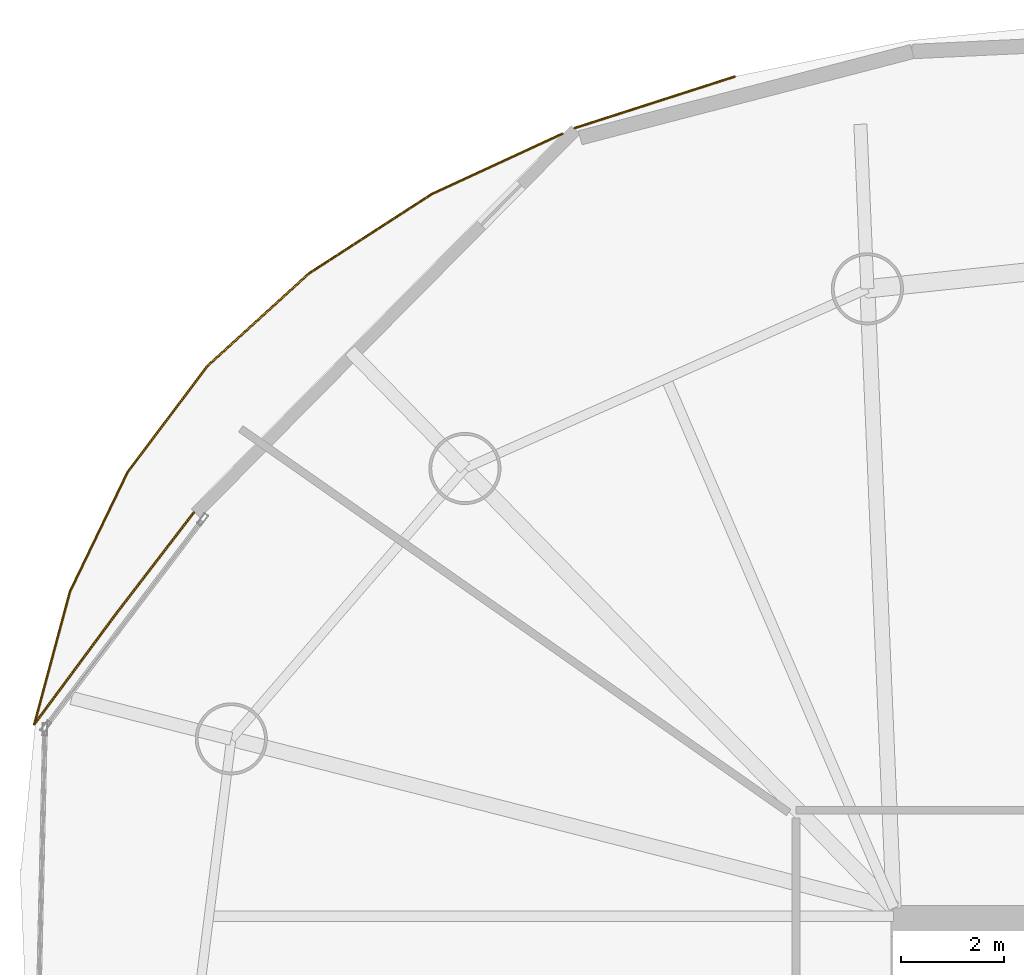
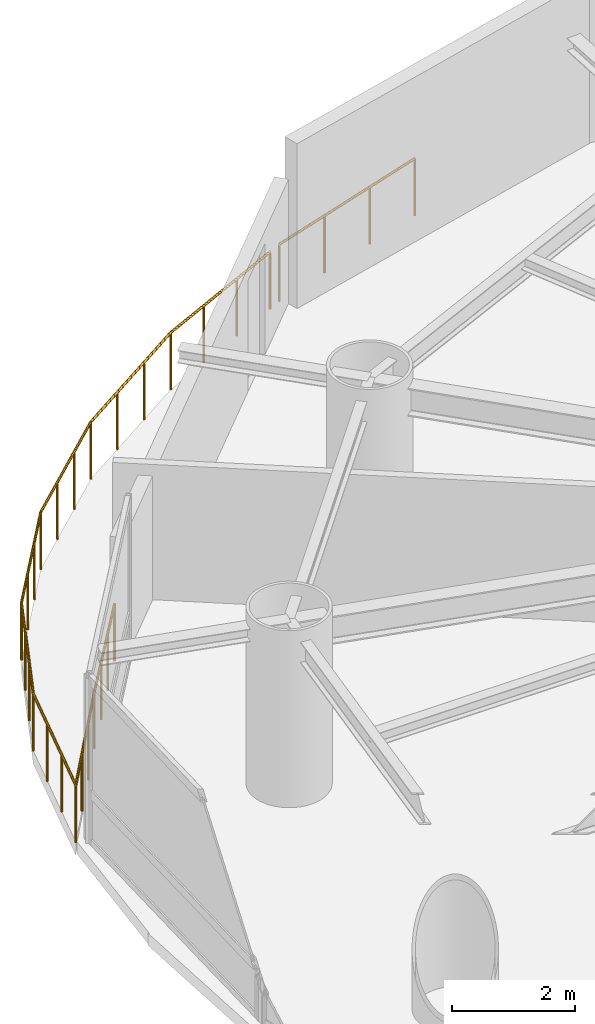
# One storey, part 20 of 20: 9 railings.
"""IFC4 building model written with IfcOpenShell, lengths in metres."""

from ifc_helpers import new_model, si_unit, direction, frame, origin, origin_2d, place, context, subcontext, project, spatial, circle, extrude, material, type_object, element, save


model = new_model("IFC4")

# Units and contexts
model_context = context("Model", 3, precision=1e-05, world=origin(), true_north=direction((0.0, 1.0)))
body_context = subcontext(model_context, "Body", "Model", "MODEL_VIEW")
ifc_project = project(units=[si_unit("LENGTHUNIT", "METRE"), si_unit("AREAUNIT", "SQUARE_METRE"), si_unit("VOLUMEUNIT", "CUBIC_METRE"), si_unit("PLANEANGLEUNIT", "RADIAN"), si_unit("MASSUNIT", "GRAM", prefix="KILO")], contexts=[model_context])

# Site, building, storey
site_placement = place(None, origin())
site = spatial("IfcSite", under=ifc_project, at=site_placement, CompositionType="ELEMENT")
building_placement = place(site_placement, origin())
building = spatial("IfcBuilding", under=site, at=building_placement, Name="Bramvorn Convention Spire", CompositionType="ELEMENT")
storey_placement = place(building_placement, frame((0.0, 0.0, 155.300048828125)))
storey = spatial("IfcBuildingStorey", under=building, at=storey_placement, Name="L39", CompositionType="ELEMENT", Elevation=155.300048828125)

# Railings
ifc_material = material(Name="Bronze Cap-Rail & Laminated Structural Glass Balustrade", Category="glass")
railing_type = type_object("IfcRailingType", Name="RL-TERR-GUARD-1150", PredefinedType="GUARDRAIL", material=ifc_material)
railing_1_placement = place(storey_placement, frame((10.74755859375, 39.598388671875, 0.0)))
element("IfcRailing", 1, at=railing_1_placement, inside=storey, type_object=railing_type, Name="L39 Sky Garden perimeter safety guardrail 1", PredefinedType="GUARDRAIL", context=body_context, shape_type="SweptSolid", body=[
    extrude(circle(Radius=0.02392578125, at=origin_2d()), frame((0.0, 0.0, 1.1259765625), z_axis=(-0.259668838511, -0.965697724087, 0.0), x_axis=(0.965697724087, -0.259668838511, 0.0)), (0.0, 0.0, 1.0), 2.673095703125),
    extrude(circle(Radius=0.02099609375, at=origin_2d()), origin(), (0.0, 0.0, 1.0), 1.101806640625),
    extrude(circle(Radius=0.02099609375, at=origin_2d()), frame((-0.2314453125, -0.8603515625, 0.0)), (0.0, 0.0, 1.0), 1.101806640625),
    extrude(circle(Radius=0.02099609375, at=origin_2d()), frame((-0.462646484375, -1.720947265625, 0.0)), (0.0, 0.0, 1.0), 1.101806640625),
    extrude(circle(Radius=0.02099609375, at=origin_2d()), frame((-0.694091796875, -2.581298828125, 0.0)), (0.0, 0.0, 1.0), 1.101806640625),
])
railing_2_placement = place(storey_placement, frame((10.053466796875, 37.01708984375, 0.0)))
element("IfcRailing", 2, at=railing_2_placement, inside=storey, type_object=railing_type, Name="L39 Sky Garden perimeter safety guardrail 2", PredefinedType="GUARDRAIL", context=body_context, shape_type="SweptSolid", body=[
    extrude(circle(Radius=0.02392578125, at=origin_2d()), frame((0.0, 0.0, 1.1259765625), z_axis=(0.594746969931, 0.80391295658, 0.0), x_axis=(-0.80391295658, 0.594746969931, 0.0)), (0.0, 0.0, 1.0), 2.6611328125),
    extrude(circle(Radius=0.02099609375, at=origin_2d()), origin(), (0.0, 0.0, 1.0), 1.101806640625),
    extrude(circle(Radius=0.02099609375, at=origin_2d()), frame((0.527587890625, 0.713134765625, 0.0)), (0.0, 0.0, 1.0), 1.101806640625),
    extrude(circle(Radius=0.02099609375, at=origin_2d()), frame((1.05517578125, 1.42626953125, 0.0)), (0.0, 0.0, 1.0), 1.101806640625),
    extrude(circle(Radius=0.02099609375, at=origin_2d()), frame((1.582763671875, 2.139404296875, 0.0)), (0.0, 0.0, 1.0), 1.101806640625),
])
railing_3_placement = place(storey_placement, frame((11.63623046875, 39.156494140625, 0.0)))
element("IfcRailing", 3, at=railing_3_placement, inside=storey, type_object=railing_type, Name="L39 Sky Garden perimeter safety guardrail 3", PredefinedType="GUARDRAIL", context=body_context, shape_type="SweptSolid", body=[
    extrude(circle(Radius=0.02392578125, at=origin_2d()), frame((0.0, 0.0, 1.1259765625), z_axis=(0.608778681632, 0.79334010159, 0.0), x_axis=(-0.79334010159, 0.608778681632, 0.0)), (0.0, 0.0, 1.0), 2.494873046875),
    extrude(circle(Radius=0.02099609375, at=origin_2d()), origin(), (0.0, 0.0, 1.0), 1.101806640625),
    extrude(circle(Radius=0.02099609375, at=origin_2d()), frame((0.50634765625, 0.65966796875, 0.0)), (0.0, 0.0, 1.0), 1.101806640625),
    extrude(circle(Radius=0.02099609375, at=origin_2d()), frame((1.012451171875, 1.319580078125, 0.0)), (0.0, 0.0, 1.0), 1.101806640625),
    extrude(circle(Radius=0.02099609375, at=origin_2d()), frame((1.518798828125, 1.979248046875, 0.0)), (0.0, 0.0, 1.0), 1.101806640625),
])
railing_4_placement = place(storey_placement, frame((20.3125, 48.4921875, 0.0)))
element("IfcRailing", 4, at=railing_4_placement, inside=storey, type_object=railing_type, Name="L39 Sky Garden perimeter safety guardrail 4", PredefinedType="GUARDRAIL", context=body_context, shape_type="SweptSolid", body=[
    extrude(circle(Radius=0.02392578125, at=origin_2d()), frame((0.0, 0.0, 1.1259765625), z_axis=(-0.907941454294, -0.419097024059, 0.0), x_axis=(0.419097024059, -0.907941454294, 0.0)), (0.0, 0.0, 1.0), 2.789794921875),
    extrude(circle(Radius=0.02099609375, at=origin_2d()), origin(), (0.0, 0.0, 1.0), 1.101806640625),
    extrude(circle(Radius=0.02099609375, at=origin_2d()), frame((-0.84423828125, -0.3896484375, 0.0)), (0.0, 0.0, 1.0), 1.101806640625),
    extrude(circle(Radius=0.02099609375, at=origin_2d()), frame((-1.688720703125, -0.779541015625, 0.0)), (0.0, 0.0, 1.0), 1.101806640625),
    extrude(circle(Radius=0.02099609375, at=origin_2d()), frame((-2.532958984375, -1.169189453125, 0.0)), (0.0, 0.0, 1.0), 1.101806640625),
])
railing_5_placement = place(storey_placement, frame((17.779541015625, 47.322998046875, 0.0)))
element("IfcRailing", 5, at=railing_5_placement, inside=storey, type_object=railing_type, Name="L39 Sky Garden perimeter safety guardrail 5", PredefinedType="GUARDRAIL", context=body_context, shape_type="SweptSolid", body=[
    extrude(circle(Radius=0.02392578125, at=origin_2d()), frame((0.0, 0.0, 1.1259765625), z_axis=(-0.83995943809, -0.542649189038, 0.0), x_axis=(0.542649189038, -0.83995943809, 0.0)), (0.0, 0.0, 1.0), 2.842041015625),
    extrude(circle(Radius=0.02099609375, at=origin_2d()), origin(), (0.0, 0.0, 1.0), 1.101806640625),
    extrude(circle(Radius=0.02099609375, at=origin_2d()), frame((-0.795654296875, -0.51416015625, 0.0)), (0.0, 0.0, 1.0), 1.101806640625),
    extrude(circle(Radius=0.02099609375, at=origin_2d()), frame((-1.591552734375, -1.028076171875, 0.0)), (0.0, 0.0, 1.0), 1.101806640625),
    extrude(circle(Radius=0.02099609375, at=origin_2d()), frame((-2.38720703125, -1.542236328125, 0.0)), (0.0, 0.0, 1.0), 1.101806640625),
])
railing_6_placement = place(storey_placement, frame((15.392333984375, 45.78076171875, 0.0)))
element("IfcRailing", 6, at=railing_6_placement, inside=storey, type_object=railing_type, Name="L39 Sky Garden perimeter safety guardrail 6", PredefinedType="GUARDRAIL", context=body_context, shape_type="SweptSolid", body=[
    extrude(circle(Radius=0.02392578125, at=origin_2d()), frame((0.0, 0.0, 1.1259765625), z_axis=(-0.739005328556, -0.673699580203, 0.0), x_axis=(0.673699580203, -0.739005328556, 0.0)), (0.0, 0.0, 1.0), 2.673095703125),
    extrude(circle(Radius=0.02099609375, at=origin_2d()), origin(), (0.0, 0.0, 1.0), 1.101806640625),
    extrude(circle(Radius=0.02099609375, at=origin_2d()), frame((-0.658447265625, -0.600341796875, 0.0)), (0.0, 0.0, 1.0), 1.101806640625),
    extrude(circle(Radius=0.02099609375, at=origin_2d()), frame((-1.31689453125, -1.200439453125, 0.0)), (0.0, 0.0, 1.0), 1.101806640625),
    extrude(circle(Radius=0.02099609375, at=origin_2d()), frame((-1.975341796875, -1.80078125, 0.0)), (0.0, 0.0, 1.0), 1.101806640625),
])
railing_7_placement = place(storey_placement, frame((13.4169921875, 43.97998046875, 0.0)))
element("IfcRailing", 7, at=railing_7_placement, inside=storey, type_object=railing_type, Name="L39 Sky Garden perimeter safety guardrail 7", PredefinedType="GUARDRAIL", context=body_context, shape_type="SweptSolid", body=[
    extrude(circle(Radius=0.02392578125, at=origin_2d()), frame((0.0, 0.0, 1.1259765625), z_axis=(-0.601166270246, -0.799123967554, 0.0), x_axis=(0.799123967554, -0.601166270246, 0.0)), (0.0, 0.0, 1.0), 2.57763671875),
    extrude(circle(Radius=0.02099609375, at=origin_2d()), origin(), (0.0, 0.0, 1.0), 1.101806640625),
    extrude(circle(Radius=0.02099609375, at=origin_2d()), frame((-0.5166015625, -0.6865234375, 0.0)), (0.0, 0.0, 1.0), 1.101806640625),
    extrude(circle(Radius=0.02099609375, at=origin_2d()), frame((-1.032958984375, -1.373291015625, 0.0)), (0.0, 0.0, 1.0), 1.101806640625),
    extrude(circle(Radius=0.02099609375, at=origin_2d()), frame((-1.549560546875, -2.059814453125, 0.0)), (0.0, 0.0, 1.0), 1.101806640625),
])
railing_8_placement = place(storey_placement, frame((11.867431640625, 41.920166015625, 0.0)))
element("IfcRailing", 8, at=railing_8_placement, inside=storey, type_object=railing_type, Name="L39 Sky Garden perimeter safety guardrail 8", PredefinedType="GUARDRAIL", context=body_context, shape_type="SweptSolid", body=[
    extrude(circle(Radius=0.02392578125, at=origin_2d()), frame((0.0, 0.0, 1.1259765625), z_axis=(-0.434439151691, -0.900701184344, 0.0), x_axis=(0.900701184344, -0.434439151691, 0.0)), (0.0, 0.0, 1.0), 2.57763671875),
    extrude(circle(Radius=0.02099609375, at=origin_2d()), origin(), (0.0, 0.0, 1.0), 1.101806640625),
    extrude(circle(Radius=0.02099609375, at=origin_2d()), frame((-0.373291015625, -0.77392578125, 0.0)), (0.0, 0.0, 1.0), 1.101806640625),
    extrude(circle(Radius=0.02099609375, at=origin_2d()), frame((-0.74658203125, -1.5478515625, 0.0)), (0.0, 0.0, 1.0), 1.101806640625),
    extrude(circle(Radius=0.02099609375, at=origin_2d()), frame((-1.119873046875, -2.32177734375, 0.0)), (0.0, 0.0, 1.0), 1.101806640625),
])
railing_9_placement = place(storey_placement, frame((20.55029296875, 48.602294921875, 0.0)))
element("IfcRailing", 9, at=railing_9_placement, inside=storey, type_object=railing_type, Name="L39 Sky Garden junction edge safety guardrail 9", PredefinedType="GUARDRAIL", context=body_context, shape_type="SweptSolid", body=[
    extrude(circle(Radius=0.02392578125, at=origin_2d()), frame((0.0, 0.0, 1.1259765625), z_axis=(0.951946940543, 0.306262995463, 0.0), x_axis=(-0.306262995463, 0.951946940543, 0.0)), (0.0, 0.0, 1.0), 3.26904296875),
    extrude(circle(Radius=0.02099609375, at=origin_2d()), origin(), (0.0, 0.0, 1.0), 1.101806640625),
    extrude(circle(Radius=0.02099609375, at=origin_2d()), frame((1.037353515625, 0.333740234375, 0.0)), (0.0, 0.0, 1.0), 1.101806640625),
    extrude(circle(Radius=0.02099609375, at=origin_2d()), frame((2.07470703125, 0.66748046875, 0.0)), (0.0, 0.0, 1.0), 1.101806640625),
    extrude(circle(Radius=0.02099609375, at=origin_2d()), frame((3.112060546875, 1.001220703125, 0.0)), (0.0, 0.0, 1.0), 1.101806640625),
])

save(model, "model.ifc")
